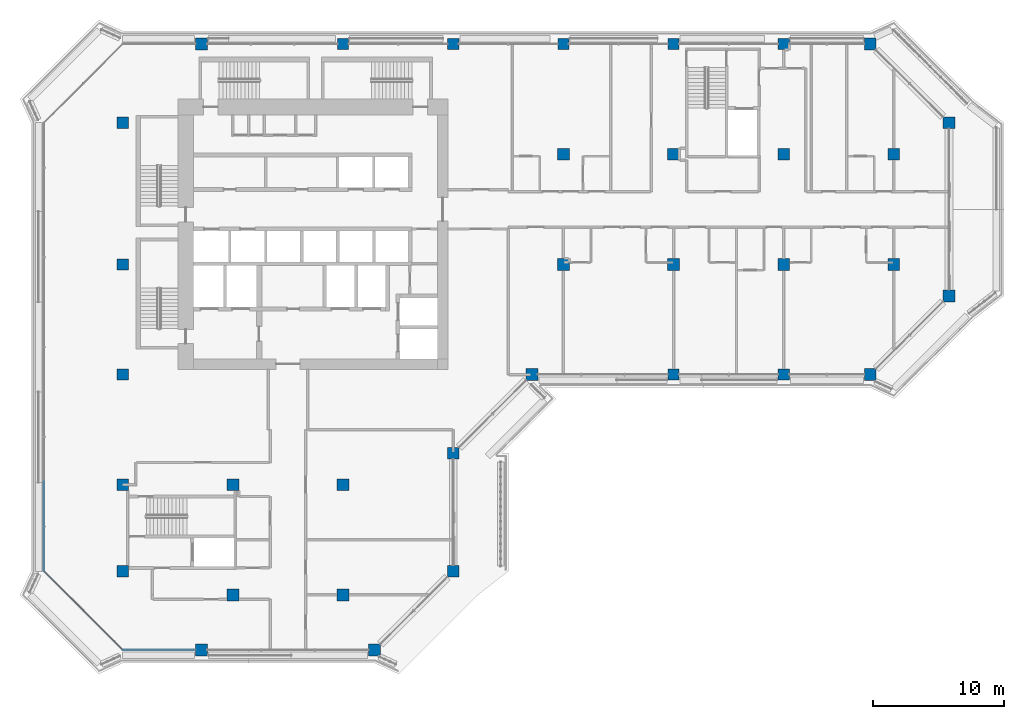
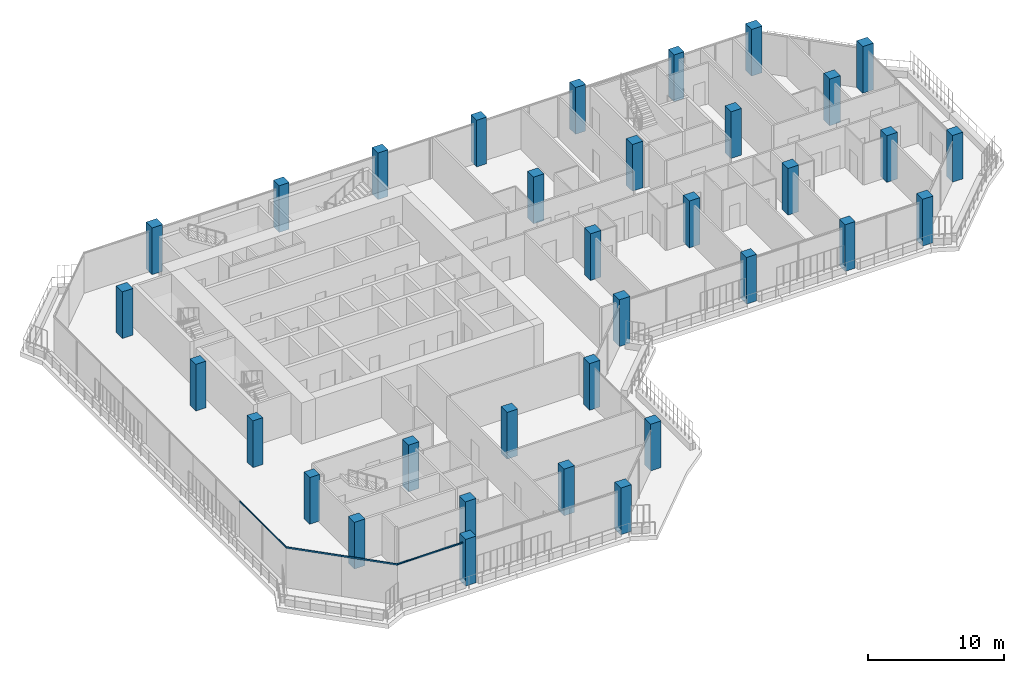
# One storey, part 1 of 23: 34 columns, 4 members, 3 elements without a shape of their own.
"""IFC4 building model written with IfcOpenShell, lengths in metres."""

from ifc_helpers import new_model, si_unit, direction, frame, origin, origin_2d, place, context, subcontext, project, spatial, rectangle, extrude, material, layer, layer_set, material_profile, profile_set, type_object, element, aggregate, save


model = new_model("IFC4")

# Units and contexts
model_context = context("Model", 3, precision=1e-05, world=origin(), true_north=direction((0.0, 1.0)))
body_context = subcontext(model_context, "Body", "Model", "MODEL_VIEW")
ifc_project = project(units=[si_unit("LENGTHUNIT", "METRE"), si_unit("AREAUNIT", "SQUARE_METRE"), si_unit("VOLUMEUNIT", "CUBIC_METRE"), si_unit("PLANEANGLEUNIT", "RADIAN"), si_unit("MASSUNIT", "GRAM", prefix="KILO")], contexts=[model_context])

# Site, building, storey
site_placement = place(None, origin())
site = spatial("IfcSite", under=ifc_project, at=site_placement, CompositionType="ELEMENT")
building_placement = place(site_placement, origin())
building = spatial("IfcBuilding", under=site, at=building_placement, Name="Kawkab Arch Medical Tower", CompositionType="ELEMENT")
storey_placement = place(building_placement, frame((0.0, 0.0, 268.39990234375)))
storey = spatial("IfcBuildingStorey", under=building, at=storey_placement, Name="L62", CompositionType="ELEMENT", Elevation=268.39990234375)

# Columns
ifc_material_1 = material(Name="Concrete C45/55", Category="concrete")
ifc_material_profile_1 = material_profile(ifc_material_1, rectangle(XDim=0.85009765625, YDim=0.85009765625, at=origin_2d()), Name="RC 850x850")
ifc_profile_set_1 = profile_set([ifc_material_profile_1], Name="Concrete C45/55")
column_type_1 = type_object("IfcColumnType", Name="RC 850x850 column C45/55", PredefinedType="COLUMN", material=ifc_profile_set_1)
for number, where, z_axis, x_axis, name in (
    (1, (16.800048828125, 0.0, 0.0), (0.0, 0.0, 1.0), (1.0, 0.0, 0.0), "Column RC 850x850"),
    (2, (25.199951171875, 0.0, 0.0), (0.0, 0.0, 1.0), (1.0, 0.0, 0.0), "Column RC 850x850"),
    (3, (33.60009765625, 0.0, 0.0), (0.0, 0.0, 1.0), (1.0, 0.0, 0.0), "Column RC 850x850"),
    (4, (42.0, 0.0, 0.0), (0.0, 0.0, 1.0), (1.0, 0.0, 0.0), "Column RC 850x850"),
    (5, (50.39990234375, 0.0, 0.0), (0.0, 0.0, 1.0), (1.0, 0.0, 0.0), "Column RC 850x850"),
    (6, (0.0, -16.800048828125, 0.0), (0.0, 0.0, 1.0), (1.0, 0.0, 0.0), "Column RC 850x850"),
    (7, (0.0, -25.199951171875, 0.0), (0.0, 0.0, 1.0), (1.0, 0.0, 0.0), "Column RC 850x850"),
    (8, (42.0, -25.199951171875, 0.0), (0.0, 0.0, 1.0), (1.0, 0.0, 0.0), "Column RC 850x850"),
    (9, (50.39990234375, -25.199951171875, 0.0), (0.0, 0.0, 1.0), (1.0, 0.0, 0.0), "Column RC 850x850"),
    (10, (0.0, -33.60009765625, 0.0), (0.0, 0.0, 1.0), (1.0, 0.0, 0.0), "Column RC 850x850"),
):
    element("IfcColumn", number, at=place(storey_placement, frame(where, z_axis=z_axis, x_axis=x_axis)), inside=storey, type_object=column_type_1, Name=name, PredefinedType="COLUMN", context=body_context, shape_type="SweptSolid", body=[
        extrude(rectangle(XDim=0.85009765625, YDim=0.85009765625, at=origin_2d()), origin(), (0.0, 0.0, 1.0), 4.2001953125),
    ])
ifc_material_2 = material(Name="Concrete C45/55", Category="concrete")
ifc_material_profile_2 = material_profile(ifc_material_2, rectangle(XDim=0.89990234375, YDim=0.89990234375, at=origin_2d()), Name="RC 900x900")
ifc_profile_set_2 = profile_set([ifc_material_profile_2], Name="Concrete C45/55")
column_type_2 = type_object("IfcColumnType", Name="RC 900x900 column C45/55", PredefinedType="COLUMN", material=ifc_profile_set_2)
for number, where, z_axis, x_axis, name in (
    (11, (6.0, 0.0, 0.0), (0.0, 0.0, 1.0), (1.0, 0.0, 0.0), "Column RC 900x900"),
    (12, (57.0, 0.0, 0.0), (0.0, 0.0, 1.0), (1.0, 0.0, 0.0), "Column RC 900x900"),
    (13, (0.0, -6.0, 0.0), (0.0, 0.0, 1.0), (1.0, 0.0, 0.0), "Column RC 900x900"),
    (14, (63.0, -6.0, 0.0), (0.0, 0.0, 1.0), (1.0, 0.0, 0.0), "Column RC 900x900"),
    (15, (33.60009765625, -8.39990234375, 0.0), (0.0, 0.0, 1.0), (1.0, 0.0, 0.0), "Column RC 900x900"),
    (16, (42.0, -8.39990234375, 0.0), (0.0, 0.0, 1.0), (1.0, 0.0, 0.0), "Column RC 900x900"),
    (17, (50.39990234375, -8.39990234375, 0.0), (0.0, 0.0, 1.0), (1.0, 0.0, 0.0), "Column RC 900x900"),
    (18, (58.800048828125, -8.39990234375, 0.0), (0.0, 0.0, 1.0), (1.0, 0.0, 0.0), "Column RC 900x900"),
    (19, (33.60009765625, -16.800048828125, 0.0), (0.0, 0.0, 1.0), (1.0, 0.0, 0.0), "Column RC 900x900"),
    (20, (42.0, -16.800048828125, 0.0), (0.0, 0.0, 1.0), (1.0, 0.0, 0.0), "Column RC 900x900"),
    (21, (50.39990234375, -16.800048828125, 0.0), (0.0, 0.0, 1.0), (1.0, 0.0, 0.0), "Column RC 900x900"),
    (22, (58.800048828125, -16.800048828125, 0.0), (0.0, 0.0, 1.0), (1.0, 0.0, 0.0), "Column RC 900x900"),
    (23, (63.0, -19.199951171875, 0.0), (0.0, 0.0, 1.0), (1.0, 0.0, 0.0), "Column RC 900x900"),
    (24, (31.199951171875, -25.199951171875, 0.0), (0.0, 0.0, 1.0), (1.0, 0.0, 0.0), "Column RC 900x900"),
    (25, (57.0, -25.199951171875, 0.0), (0.0, 0.0, 1.0), (1.0, 0.0, 0.0), "Column RC 900x900"),
    (26, (25.199951171875, -31.199951171875, 0.0), (0.0, 0.0, 1.0), (1.0, 0.0, 0.0), "Column RC 900x900"),
    (27, (8.39990234375, -33.60009765625, 0.0), (0.0, 0.0, 1.0), (1.0, 0.0, 0.0), "Column RC 900x900"),
    (28, (16.800048828125, -33.60009765625, 0.0), (0.0, 0.0, 1.0), (1.0, 0.0, 0.0), "Column RC 900x900"),
    (29, (0.0, -40.199951171875, 0.0), (0.0, 0.0, 1.0), (1.0, 0.0, 0.0), "Column RC 900x900"),
    (30, (25.199951171875, -40.199951171875, 0.0), (0.0, 0.0, 1.0), (1.0, 0.0, 0.0), "Column RC 900x900"),
    (31, (8.39990234375, -42.0, 0.0), (0.0, 0.0, 1.0), (1.0, 0.0, 0.0), "Column RC 900x900"),
    (32, (16.800048828125, -42.0, 0.0), (0.0, 0.0, 1.0), (1.0, 0.0, 0.0), "Column RC 900x900"),
    (33, (6.0, -46.199951171875, 0.0), (0.0, 0.0, 1.0), (1.0, 0.0, 0.0), "Column RC 900x900"),
    (34, (19.199951171875, -46.199951171875, 0.0), (0.0, 0.0, 1.0), (1.0, 0.0, 0.0), "Column RC 900x900"),
):
    element("IfcColumn", number, at=place(storey_placement, frame(where, z_axis=z_axis, x_axis=x_axis)), inside=storey, type_object=column_type_2, Name=name, PredefinedType="COLUMN", context=body_context, shape_type="SweptSolid", body=[
        extrude(rectangle(XDim=0.89990234375, YDim=0.89990234375, at=origin_2d()), origin(), (0.0, 0.0, 1.0), 4.2001953125),
    ])

# Curtain wall, member
ifc_material_3 = material(Name="Bronze anodised aluminium curtain wall frame", Category="aluminium")
ifc_layer_1 = layer(ifc_material_3, 0.159912109375)
ifc_layer_set_1 = layer_set([ifc_layer_1], Name="Bronze anodised aluminium curtain wall frame")
curtain_wall_type_1 = type_object("IfcCurtainWallType", Name="CW1 ward curtain wall", PredefinedType="NOTDEFINED", material=ifc_layer_set_1)
placement = place(storey_placement, origin())
curtain_wall_1 = element("IfcCurtainWall", 35, at=placement, inside=storey, type_object=curtain_wall_type_1, Name="CW1 Ward curtain wall R01", PredefinedType="NOTDEFINED")
ifc_material_4 = material(Name="Bronze anodised aluminium curtain wall frame", Category="aluminium")
ifc_material_profile_3 = material_profile(ifc_material_4, rectangle(XDim=0.06005859375, YDim=0.1201171875, at=origin_2d()), Name="AL 60x120")
ifc_profile_set_3 = profile_set([ifc_material_profile_3], Name="Bronze anodised aluminium curtain wall frame")
member_type_1 = type_object("IfcMemberType", Name="CW1 transom 120 x 60", PredefinedType="USERDEFINED", material=ifc_profile_set_3)
member_1_placement = place(storey_placement, frame((-6.0, -33.360107421875, 3.64013671875), z_axis=(0.0, -1.0, 0.0), x_axis=(1.0, 0.0, 0.0)))
member_1 = element("IfcMember", 36, at=member_1_placement, type_object=member_type_1, Name="CW1 transom 5", ObjectType="TRANSOM", PredefinedType="USERDEFINED", context=body_context, shape_type="SweptSolid", body=[
    extrude(rectangle(XDim=0.06005859375, YDim=0.1201171875, at=origin_2d()), origin(), (0.0, 0.0, 1.0), 6.83984375),
])
aggregate(curtain_wall_1, [member_1])

curtain_wall_2 = element("IfcCurtainWall", 37, at=placement, inside=storey, type_object=curtain_wall_type_1, Name="CW1 Ward curtain wall R03", PredefinedType="NOTDEFINED")
member_2_placement = place(storey_placement, frame((0.0, -46.199951171875, 3.64013671875), z_axis=(1.0, 0.0, 0.0), x_axis=(0.0, 1.0, 0.0)))
member_2 = element("IfcMember", 38, at=member_2_placement, type_object=member_type_1, Name="CW1 transom 1", ObjectType="TRANSOM", PredefinedType="USERDEFINED", context=body_context, shape_type="SweptSolid", body=[
    extrude(rectangle(XDim=0.06005859375, YDim=0.1201171875, at=origin_2d()), origin(), (0.0, 0.0, 1.0), 5.550048828125),
])
aggregate(curtain_wall_2, [member_2])

# Curtain wall, members
ifc_material_5 = material(Name="Bronze anodised aluminium curtain wall frame", Category="aluminium")
ifc_layer_2 = layer(ifc_material_5, 0.159912109375)
ifc_layer_set_2 = layer_set([ifc_layer_2], Name="Bronze anodised aluminium curtain wall frame")
curtain_wall_type_2 = type_object("IfcCurtainWallType", Name="CW2 chamfer curtain wall", PredefinedType="NOTDEFINED", material=ifc_layer_set_2)
curtain_wall_3 = element("IfcCurtainWall", 39, at=placement, inside=storey, type_object=curtain_wall_type_2, Name="CW2 Chamfer curtain wall R02", PredefinedType="NOTDEFINED")
ifc_material_6 = material(Name="Bronze anodised aluminium curtain wall frame", Category="aluminium")
ifc_material_profile_4 = material_profile(ifc_material_6, rectangle(XDim=0.06005859375, YDim=0.139892578125, at=origin_2d()), Name="AL 60x140")
ifc_profile_set_4 = profile_set([ifc_material_profile_4], Name="Bronze anodised aluminium curtain wall frame")
member_type_2 = type_object("IfcMemberType", Name="CW2 transom 140 x 60", PredefinedType="USERDEFINED", material=ifc_profile_set_4)
member_3_placement = place(storey_placement, frame((-6.0, -40.199951171875, 3.630126953125), z_axis=(0.707106781187, -0.707106781187, 0.0), x_axis=(0.707106781187, 0.707106781187, 0.0)))
member_3 = element("IfcMember", 40, at=member_3_placement, type_object=member_type_2, Name="CW2 transom 1", ObjectType="TRANSOM", PredefinedType="USERDEFINED", context=body_context, shape_type="SweptSolid", body=[
    extrude(rectangle(XDim=0.06005859375, YDim=0.139892578125, at=origin_2d()), origin(), (0.0, 0.0, 1.0), 4.24267578125),
])
member_4_placement = place(storey_placement, frame((-3.0, -43.199951171875, 3.630126953125), z_axis=(0.707106781187, -0.707106781187, 0.0), x_axis=(0.707106781187, 0.707106781187, 0.0)))
member_4 = element("IfcMember", 41, at=member_4_placement, type_object=member_type_2, Name="CW2 transom 2", ObjectType="TRANSOM", PredefinedType="USERDEFINED", context=body_context, shape_type="SweptSolid", body=[
    extrude(rectangle(XDim=0.06005859375, YDim=0.139892578125, at=origin_2d()), origin(), (0.0, 0.0, 1.0), 4.24267578125),
])
aggregate(curtain_wall_3, [member_3, member_4])

save(model, "model.ifc")
